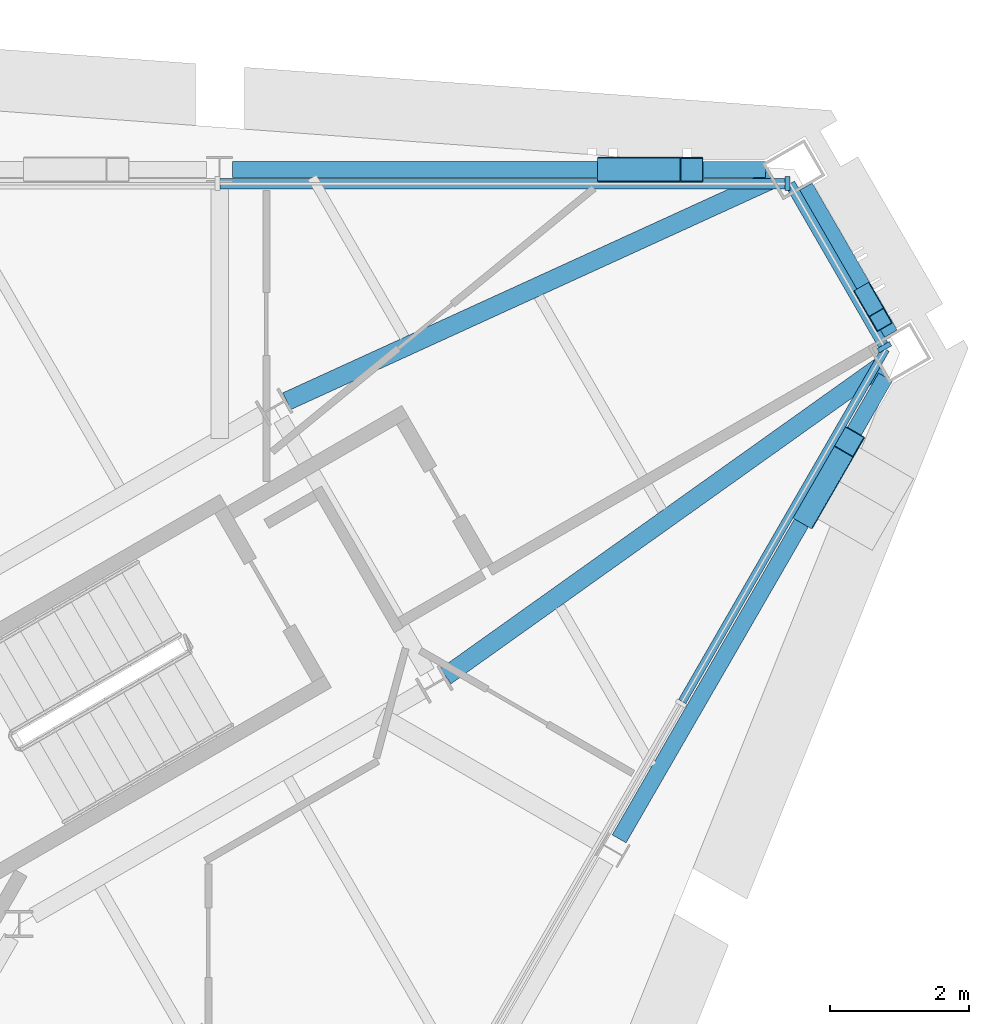
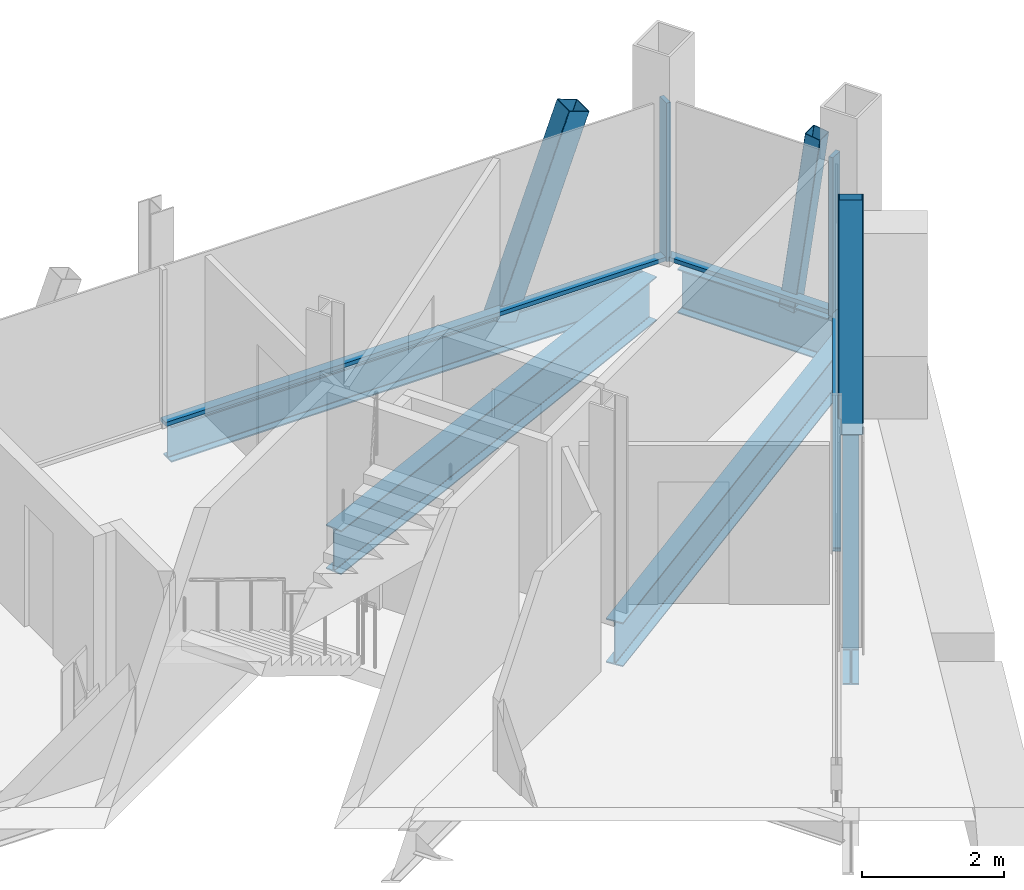
# One storey, part 7 of 15: 8 members, 5 beams, 3 elements without a shape of their own.
"""IFC4 building model written with IfcOpenShell, lengths in metres."""

from ifc_helpers import new_model, si_unit, direction, frame, origin, origin_2d, place, context, subcontext, project, spatial, rectangle, hollow_rectangle, i_section, extrude, material, material_profile, profile_set, type_object, element, aggregate, save


model = new_model("IFC4")

# Units and contexts
model_context = context("Model", 3, precision=1e-05, world=origin(), true_north=direction((0.0, 1.0)))
body_context = subcontext(model_context, "Body", "Model", "MODEL_VIEW")
ifc_project = project(units=[si_unit("LENGTHUNIT", "METRE"), si_unit("AREAUNIT", "SQUARE_METRE"), si_unit("VOLUMEUNIT", "CUBIC_METRE"), si_unit("PLANEANGLEUNIT", "RADIAN"), si_unit("MASSUNIT", "GRAM", prefix="KILO")], contexts=[model_context])

# Site, building, storey
site_placement = place(None, origin())
site = spatial("IfcSite", under=ifc_project, at=site_placement, CompositionType="ELEMENT")
building_placement = place(site_placement, origin())
building = spatial("IfcBuilding", under=site, at=building_placement, Name="Verrane Prism Tower", CompositionType="ELEMENT")
storey_placement = place(building_placement, frame((0.0, 0.0, 301.0)))
storey = spatial("IfcBuildingStorey", under=building, at=storey_placement, Name="L76", CompositionType="ELEMENT", Elevation=301.0)

# Member
ifc_material_1 = material(Name="Steel A500 Grade C", Category="steel")
ifc_material_profile_1 = material_profile(ifc_material_1, hollow_rectangle(XDim=0.25390625, YDim=0.25390625, WallThickness=0.009521484375, InnerFilletRadius=0.0048828125, OuterFilletRadius=0.014404296875, at=origin_2d()), Name="HSS10x10x3/8")
ifc_profile_set_1 = profile_set([ifc_material_profile_1], Name="Steel A500 Grade C")
member_type_1 = type_object("IfcMemberType", Name="Chamfer brace HSS10x10x3/8", PredefinedType="BRACE", material=ifc_profile_set_1)
member_1_placement = place(storey_placement, frame((21.633544921875, 11.861572265625, -0.24267578125), z_axis=(0.067861913608, -0.117357529496, 0.990768374017), x_axis=(0.865688187955, 0.500583620621, 0.0)))
element("IfcMember", 1, at=member_1_placement, inside=storey, type_object=member_type_1, Name="Chamfer brace NE0 L76", PredefinedType="BRACE", context=body_context, shape_type="SweptSolid", body=[
    extrude(hollow_rectangle(XDim=0.25390625, YDim=0.25390625, WallThickness=0.009521484375, InnerFilletRadius=0.0048828125, OuterFilletRadius=0.014404296875, at=origin_2d()), origin(), (0.0, 0.0, 1.0), 3.13720703125),
])

# Beams
ifc_material_2 = material(Name="Steel A992", Category="steel")
ifc_material_profile_2 = material_profile(ifc_material_2, i_section(OverallWidth=0.2666015625, OverallDepth=0.7568359375, WebThickness=0.013916015625, FlangeThickness=0.019287109375, FilletRadius=0.0166015625, at=origin_2d()), Name="W30x108")
ifc_profile_set_2 = profile_set([ifc_material_profile_2], Name="Steel A992")
beam_type_1 = type_object("IfcBeamType", Name="Chamfer spandrel beam W30x108", PredefinedType="SPANDREL", material=ifc_profile_set_2)
beam_1_placement = place(storey_placement, frame((21.969970703125, 11.27978515625, -0.53857421875), z_axis=(-0.500436097356, 0.865773476415, 0.0), x_axis=(-0.865773476415, -0.500436097356, 0.0)))
element("IfcBeam", 2, at=beam_1_placement, inside=storey, type_object=beam_type_1, Name="Chamfer spandrel beam L76", PredefinedType="SPANDREL", context=body_context, shape_type="SweptSolid", body=[
    extrude(i_section(OverallWidth=0.2666015625, OverallDepth=0.7568359375, WebThickness=0.013916015625, FlangeThickness=0.019287109375, FilletRadius=0.0166015625, at=origin_2d()), origin(), (0.0, 0.0, 1.0), 2.437744140625),
])
ifc_material_3 = material(Name="Steel A992", Category="steel")
ifc_material_profile_3 = material_profile(ifc_material_3, i_section(OverallWidth=0.2666015625, OverallDepth=0.7568359375, WebThickness=0.013916015625, FlangeThickness=0.019287109375, FilletRadius=0.0166015625, at=origin_2d()), Name="W30x108")
ifc_profile_set_3 = profile_set([ifc_material_profile_3], Name="Steel A992")
beam_type_2 = type_object("IfcBeamType", Name="Corner girder W30x108", PredefinedType="BEAM", material=ifc_profile_set_3)
for number, where, z_axis, x_axis, name in (
    (3, (21.833740234375, 10.81591796875, -0.598388671875), (-0.814401339816, -0.580302040067, 0.0), (0.580302040067, -0.814401339816, 0.0), "Corner girder L76"),
    (4, (20.2802734375, 13.50390625, -0.598388671875), (-0.909481370613, -0.415744677065, 0.0), (0.415744677065, -0.909481370613, 0.0), "Corner girder L76"),
):
    element("IfcBeam", number, at=place(storey_placement, frame(where, z_axis=z_axis, x_axis=x_axis)), inside=storey, type_object=beam_type_2, Name=name, PredefinedType="BEAM", context=body_context, shape_type="SweptSolid", body=[
        extrude(i_section(OverallWidth=0.2666015625, OverallDepth=0.7568359375, WebThickness=0.013916015625, FlangeThickness=0.019287109375, FilletRadius=0.0166015625, at=origin_2d()), origin(), (0.0, 0.0, 1.0), 7.650634765625),
    ])

# Members
ifc_material_4 = material(Name="Steel A500 Grade C", Category="steel")
ifc_material_profile_4 = material_profile(ifc_material_4, hollow_rectangle(XDim=0.355712890625, YDim=0.355712890625, WallThickness=0.0126953125, InnerFilletRadius=0.00634765625, OuterFilletRadius=0.01904296875, at=origin_2d()), Name="HSS14x14x1/2")
ifc_profile_set_4 = profile_set([ifc_material_profile_4], Name="Steel A500 Grade C")
member_type_2 = type_object("IfcMemberType", Name="Facade brace HSS14x14x1/2", PredefinedType="BRACE", material=ifc_profile_set_4)
member_2_placement = place(storey_placement, frame((17.94677734375, 13.64990234375, -0.216796875), z_axis=(0.348013925266, 0.0, 0.937489364111), x_axis=(0.0, 1.0, 0.0)))
element("IfcMember", 5, at=member_2_placement, inside=storey, type_object=member_type_2, Name="Facade brace N0 L76", PredefinedType="BRACE", context=body_context, shape_type="SweptSolid", body=[
    extrude(hollow_rectangle(XDim=0.355712890625, YDim=0.355712890625, WallThickness=0.0126953125, InnerFilletRadius=0.00634765625, OuterFilletRadius=0.01904296875, at=origin_2d()), origin(), (0.0, 0.0, 1.0), 3.409423828125),
])
member_3_placement = place(storey_placement, frame((20.79345703125, 8.720947265625, -0.216796875), z_axis=(0.17399901277, 0.301526684269, 0.937446532997), x_axis=(-0.86613421761, 0.499811481546, 0.0)))
element("IfcMember", 6, at=member_3_placement, inside=storey, type_object=member_type_2, Name="Facade brace SE4 L76", PredefinedType="BRACE", context=body_context, shape_type="SweptSolid", body=[
    extrude(hollow_rectangle(XDim=0.355712890625, YDim=0.355712890625, WallThickness=0.0126953125, InnerFilletRadius=0.00634765625, OuterFilletRadius=0.01904296875, at=origin_2d()), origin(), (0.0, 0.0, 1.0), 3.40966796875),
])

# Curtain wall, member
ifc_material_5 = material(Name="Aluminium framed insulated glazing", Category="aluminium")
curtain_wall_type_1 = type_object("IfcCurtainWallType", Name="Curtain wall CW-A 8400 module", PredefinedType="NOTDEFINED", material=ifc_material_5)
curtain_wall_1_placement = place(storey_placement, origin())
curtain_wall_1 = element("IfcCurtainWall", 7, at=curtain_wall_1_placement, inside=storey, type_object=curtain_wall_type_1, Name="Glazed curtain wall north-east corner L76", PredefinedType="NOTDEFINED")
ifc_material_6 = material(Name="Aluminium alloy 6063-T6", Category="aluminium")
ifc_material_profile_5 = material_profile(ifc_material_6, rectangle(XDim=0.199951171875, YDim=0.070068359375, at=origin_2d()), Name="Mullion 70x200 aluminium")
ifc_profile_set_5 = profile_set([ifc_material_profile_5], Name="Aluminium alloy 6063-T6")
member_type_3 = type_object("IfcMemberType", Name="Mullion 70x200 aluminium", PredefinedType="MULLION", material=ifc_profile_set_5)
member_4_placement = place(storey_placement, frame((21.901123046875, 11.10009765625, 0.0), z_axis=(0.0, 0.0, 1.0), x_axis=(-0.866024225493, -0.500002040855, 0.0)))
member_4 = element("IfcMember", 8, at=member_4_placement, type_object=member_type_3, Name="CW75.1 mullion 1", PredefinedType="MULLION", context=body_context, shape_type="SweptSolid", body=[
    extrude(rectangle(XDim=0.199951171875, YDim=0.070068359375, at=origin_2d()), origin(), (0.0, 0.0, 1.0), 2.72314453125),
])

curtain_wall_2_placement = place(storey_placement, origin())
curtain_wall_2 = element("IfcCurtainWall", 9, at=curtain_wall_2_placement, inside=storey, type_object=curtain_wall_type_1, Name="Glazed curtain wall north face L76", PredefinedType="NOTDEFINED")
member_5_placement = place(storey_placement, frame((20.510986328125, 13.447265625, 0.0), z_axis=(0.0, 0.0, 1.0), x_axis=(0.0, -1.0, 0.0)))
member_5 = element("IfcMember", 10, at=member_5_placement, type_object=member_type_3, Name="CW75.2 mullion 1", PredefinedType="MULLION", context=body_context, shape_type="SweptSolid", body=[
    extrude(rectangle(XDim=0.199951171875, YDim=0.070068359375, at=origin_2d()), origin(), (0.0, 0.0, 1.0), 2.72314453125),
])

# Beams
ifc_material_7 = material(Name="Steel A992", Category="steel")
ifc_material_profile_6 = material_profile(ifc_material_7, i_section(OverallWidth=0.23046875, OverallDepth=0.6171875, WebThickness=0.01318359375, FlangeThickness=0.022216796875, FilletRadius=0.012939453125, at=origin_2d()), Name="W24x94")
ifc_profile_set_6 = profile_set([ifc_material_profile_6], Name="Steel A992")
beam_type_3 = type_object("IfcBeamType", Name="Spandrel beam W24x94", PredefinedType="SPANDREL", material=ifc_profile_set_6)
beam_2_placement = place(storey_placement, frame((20.19580078125, 13.64990234375, -0.468505859375), z_axis=(-1.0, 0.0, 0.0), x_axis=(0.0, -1.0, 0.0)))
element("IfcBeam", 11, at=beam_2_placement, inside=storey, type_object=beam_type_3, Name="Spandrel beam L76", PredefinedType="SPANDREL", context=body_context, shape_type="SweptSolid", body=[
    extrude(i_section(OverallWidth=0.23046875, OverallDepth=0.6171875, WebThickness=0.01318359375, FlangeThickness=0.022216796875, FilletRadius=0.012939453125, at=origin_2d()), origin(), (0.0, 0.0, 1.0), 7.649169921875),
])
beam_3_placement = place(storey_placement, frame((18.09326171875, 4.041748046875, -0.468505859375), z_axis=(0.499797022492, 0.866142561192, 0.0), x_axis=(-0.866142561192, 0.499797022492, 0.0)))
element("IfcBeam", 12, at=beam_3_placement, inside=storey, type_object=beam_type_3, Name="Spandrel beam L76", PredefinedType="SPANDREL", context=body_context, shape_type="SweptSolid", body=[
    extrude(i_section(OverallWidth=0.23046875, OverallDepth=0.6171875, WebThickness=0.01318359375, FlangeThickness=0.022216796875, FilletRadius=0.012939453125, at=origin_2d()), origin(), (0.0, 0.0, 1.0), 7.652587890625),
])

# Curtain wall, member
ifc_material_8 = material(Name="Aluminium framed insulated glazing", Category="aluminium")
curtain_wall_type_2 = type_object("IfcCurtainWallType", Name="Curtain wall CW-B 5600 module", PredefinedType="NOTDEFINED", material=ifc_material_8)
curtain_wall_3_placement = place(storey_placement, origin())
curtain_wall_3 = element("IfcCurtainWall", 13, at=curtain_wall_3_placement, inside=storey, type_object=curtain_wall_type_2, Name="Glazed curtain wall south-east face L76", PredefinedType="NOTDEFINED")
ifc_material_9 = material(Name="Aluminium alloy 6063-T6", Category="aluminium")
ifc_material_profile_7 = material_profile(ifc_material_9, rectangle(XDim=0.1201171875, YDim=0.06005859375, at=origin_2d()), Name="Transom 60x120 aluminium")
ifc_profile_set_7 = profile_set([ifc_material_profile_7], Name="Aluminium alloy 6063-T6")
member_type_4 = type_object("IfcMemberType", Name="Transom 60x120 aluminium", PredefinedType="USERDEFINED", material=ifc_profile_set_7)
member_6_placement = place(storey_placement, frame((18.99853515625, 6.011962890625, 0.030029296875), z_axis=(0.500001080802, 0.866024779782, 0.0), x_axis=(-0.866024779782, 0.500001080802, 0.0)))
member_6 = element("IfcMember", 14, at=member_6_placement, type_object=member_type_4, Name="CW75.6 transom 7", ObjectType="TRANSOM", PredefinedType="USERDEFINED", context=body_context, shape_type="SweptSolid", body=[
    extrude(rectangle(XDim=0.1201171875, YDim=0.06005859375, at=origin_2d()), origin(), (0.0, 0.0, 1.0), 5.84033203125),
])
aggregate(curtain_wall_3, [member_6])

# Member
ifc_material_10 = material(Name="Aluminium alloy 6063-T6", Category="aluminium")
ifc_material_profile_8 = material_profile(ifc_material_10, rectangle(XDim=0.14990234375, YDim=0.070068359375, at=origin_2d()), Name="Transom 70x150 aluminium")
ifc_profile_set_8 = profile_set([ifc_material_profile_8], Name="Aluminium alloy 6063-T6")
member_type_5 = type_object("IfcMemberType", Name="Transom 70x150 aluminium", PredefinedType="USERDEFINED", material=ifc_profile_set_8)
member_7_placement = place(storey_placement, frame((21.8837890625, 11.13037109375, 0.034912109375), z_axis=(-0.499996300355, 0.866027539765, 0.0), x_axis=(-0.866027539765, -0.499996300355, 0.0)))
member_7 = element("IfcMember", 15, at=member_7_placement, type_object=member_type_5, Name="CW75.1 transom 1", ObjectType="TRANSOM", PredefinedType="USERDEFINED", context=body_context, shape_type="SweptSolid", body=[
    extrude(rectangle(XDim=0.14990234375, YDim=0.070068359375, at=origin_2d()), origin(), (0.0, 0.0, 1.0), 2.67529296875),
])

aggregate(curtain_wall_1, [member_4, member_7])

member_8_placement = place(storey_placement, frame((20.47607421875, 13.447265625, 0.034912109375), z_axis=(-1.0, 0.0, 0.0), x_axis=(0.0, -1.0, 0.0)))
member_8 = element("IfcMember", 16, at=member_8_placement, type_object=member_type_5, Name="CW75.2 transom 1", ObjectType="TRANSOM", PredefinedType="USERDEFINED", context=body_context, shape_type="SweptSolid", body=[
    extrude(rectangle(XDim=0.14990234375, YDim=0.070068359375, at=origin_2d()), origin(), (0.0, 0.0, 1.0), 8.113525390625),
])

aggregate(curtain_wall_2, [member_5, member_8])

save(model, "model.ifc")
